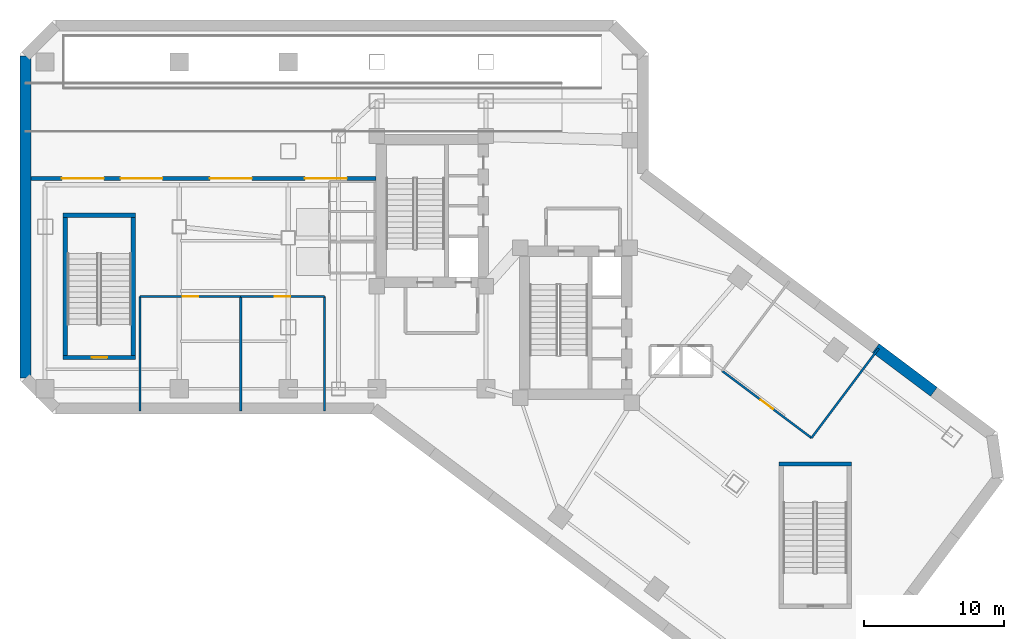
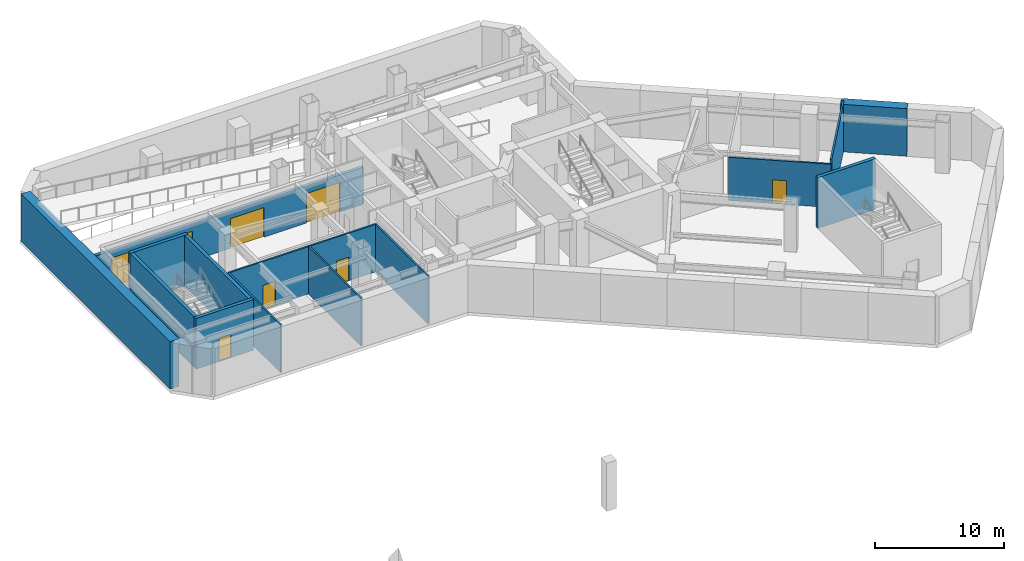
# One storey, part 3 of 9: 15 walls, 8 doors, 8 openings.
"""IFC4 building model written with IfcOpenShell, lengths in metres."""

from ifc_helpers import new_model, si_unit, direction, frame, frame_2d, origin, place, context, subcontext, project, spatial, rectangle, extrude, material, layer, layer_set, type_object, element, fill, save


model = new_model("IFC4")

# Units and contexts
model_context = context("Model", 3, precision=1e-05, world=origin(), true_north=direction((0.0, 1.0)))
body_context = subcontext(model_context, "Body", "Model", "MODEL_VIEW")
ifc_project = project(units=[si_unit("LENGTHUNIT", "METRE"), si_unit("AREAUNIT", "SQUARE_METRE"), si_unit("VOLUMEUNIT", "CUBIC_METRE"), si_unit("PLANEANGLEUNIT", "RADIAN"), si_unit("MASSUNIT", "GRAM", prefix="KILO")], contexts=[model_context])

# Site, building, storey
site_placement = place(None, origin())
site = spatial("IfcSite", under=ifc_project, at=site_placement, CompositionType="ELEMENT")
building_placement = place(site_placement, origin())
building = spatial("IfcBuilding", under=site, at=building_placement, Name="Hatsunagi Terrace Concourse", CompositionType="ELEMENT")
storey_placement = place(building_placement, frame((0.0, 0.0, -4.800048828125)))
storey = spatial("IfcBuildingStorey", under=building, at=storey_placement, Name="B01", CompositionType="ELEMENT", Elevation=-4.800048828125)

# Walls
ifc_material_1 = material(Name="Concrete Fc48", Category="concrete")
ifc_layer_1 = layer(ifc_material_1, 0.800048828125)
ifc_layer_set_1 = layer_set([ifc_layer_1], Name="BasementRetainingWall_Fc48_800")
wall_type_1 = type_object("IfcWallType", Name="BasementRetainingWall_Fc48_800", PredefinedType="SHEAR", material=ifc_layer_set_1)
wall_1_placement = place(storey_placement, frame((61.258056640625, 28.10595703125, 0.0), z_axis=(0.0, 0.0, 1.0), x_axis=(0.8, -0.6, 0.0)))
element("IfcWall", 1, at=wall_1_placement, inside=storey, type_object=wall_type_1, Name="Basement Retaining Wall B01-01-5", PredefinedType="SHEAR", context=body_context, shape_type="SweptSolid", body=[
    extrude(rectangle(XDim=5.205078125, YDim=0.800048828125, at=frame_2d((2.6025390625, 0.0))), origin(), (0.0, 0.0, 1.0), 4.5),
])
wall_2_placement = place(storey_placement, frame((0.39990234375, 25.966064453125, 0.0), z_axis=(0.0, 0.0, 1.0), x_axis=(0.0, 1.0, 0.0)))
element("IfcWall", 2, at=wall_2_placement, inside=storey, type_object=wall_type_1, Name="Basement Retaining Wall B01-08", PredefinedType="SHEAR", context=body_context, shape_type="SweptSolid", body=[
    extrude(rectangle(XDim=23.06787109375, YDim=0.800048828125, at=frame_2d((11.533935546875, 0.0))), origin(), (0.0, 0.0, 1.0), 4.5),
])

# Wall, opening, door
ifc_material_2 = material(Name="Concrete Fc48", Category="concrete")
ifc_layer_2 = layer(ifc_material_2, 0.300048828125)
ifc_layer_set_2 = layer_set([ifc_layer_2], Name="CoreStairDivider_Fc48_300")
wall_type_2 = type_object("IfcWallType", Name="CoreStairDivider_Fc48_300", PredefinedType="SHEAR", material=ifc_layer_set_2)
wall_3_placement = place(storey_placement, frame((3.090087890625, 27.43994140625, 0.0), z_axis=(0.0, 0.0, 1.0), x_axis=(1.0, 0.0, 0.0)))
wall_3 = element("IfcWall", 3, at=wall_3_placement, inside=storey, type_object=wall_type_2, Name="Podium Stair P1 Shear Wall S B01", PredefinedType="SHEAR", context=body_context, shape_type="SweptSolid", body=[
    extrude(rectangle(XDim=5.169921875, YDim=0.300048828125, at=frame_2d((2.5849609375, 0.0))), origin(), (0.0, 0.0, 1.0), 4.800048828125),
])
opening_1_placement = place(wall_3_placement, frame((2.06005859375, 0.0, 0.0)))
opening_1 = element("IfcOpeningElement", 4, at=opening_1_placement, cuts=wall_3, Name="Opening DR-110S", PredefinedType="OPENING", context=body_context, shape_type="SweptSolid", body=[
    extrude(rectangle(XDim=1.10009765625, YDim=2.199951171875, at=frame_2d((0.550048828125, 1.10009765625))), frame((0.0, 0.159912109375, 0.0), z_axis=(0.0, -1.0, 0.0), x_axis=(1.0, 0.0, 0.0)), (0.0, 0.0, 1.0), 0.320068359375),
])
ifc_material_3 = material(Name="Painted steel", Category="steel")
door_type_1 = type_object("IfcDoorType", Name="StairFireDoor_EI60_1100", OperationType="NOTDEFINED", PredefinedType="DOOR", material=ifc_material_3)
door_1_placement = place(opening_1_placement, origin())
door_1 = element("IfcDoor", 5, at=door_1_placement, inside=storey, type_object=door_type_1, Name="Stair ST-P1 Exit Door B01", OperationType="SINGLE_SWING_LEFT", OverallHeight=2.199951171875, OverallWidth=1.10009765625, PredefinedType="DOOR", context=body_context, shape_type="SweptSolid", body=[
    extrude(rectangle(XDim=1.10009765625, YDim=2.199951171875, at=frame_2d((0.550048828125, 1.10009765625))), frame((0.0, 0.02490234375, 0.0), z_axis=(0.0, -1.0, 0.0), x_axis=(1.0, 0.0, 0.0)), (0.0, 0.0, 1.0), 0.050048828125),
])
fill(opening_1, door_1)

# Walls
wall_4_placement = place(storey_placement, frame((3.090087890625, 37.6201171875, 0.0), z_axis=(0.0, 0.0, 1.0), x_axis=(1.0, 0.0, 0.0)))
element("IfcWall", 6, at=wall_4_placement, inside=storey, type_object=wall_type_2, Name="Podium Stair P1 Shear Wall N B01", PredefinedType="SHEAR", context=body_context, shape_type="SweptSolid", body=[
    extrude(rectangle(XDim=5.169921875, YDim=0.300048828125, at=frame_2d((2.5849609375, 0.0))), origin(), (0.0, 0.0, 1.0), 4.800048828125),
])
for number, where, z_axis, x_axis, name in (
    (7, (3.239990234375, 27.590087890625, 0.0), (0.0, 0.0, 1.0), (0.0, 1.0, 0.0), "Podium Stair P1 Shear Wall W B01"),
    (8, (8.110107421875, 27.590087890625, 0.0), (0.0, 0.0, 1.0), (0.0, 1.0, 0.0), "Podium Stair P1 Shear Wall E B01"),
):
    element("IfcWall", number, at=place(storey_placement, frame(where, z_axis=z_axis, x_axis=x_axis)), inside=storey, type_object=wall_type_2, Name=name, PredefinedType="SHEAR", context=body_context, shape_type="SweptSolid", body=[
        extrude(rectangle(XDim=9.8798828125, YDim=0.300048828125, at=frame_2d((4.93994140625, 0.0))), origin(), (0.0, 0.0, 1.0), 4.800048828125),
    ])
wall_5_placement = place(storey_placement, frame((54.340087890625, 19.820068359375, 0.0), z_axis=(0.0, 0.0, 1.0), x_axis=(1.0, 0.0, 0.0)))
element("IfcWall", 9, at=wall_5_placement, inside=storey, type_object=wall_type_2, Name="Podium Stair P2 Shear Wall N B01", PredefinedType="SHEAR", context=body_context, shape_type="SweptSolid", body=[
    extrude(rectangle(XDim=5.169921875, YDim=0.300048828125, at=frame_2d((2.5849609375, 0.0))), origin(), (0.0, 0.0, 1.0), 4.800048828125),
])

# Wall, opening, door
ifc_material_4 = material(Name="Acoustic mineral board", Category="gypsum")
ifc_layer_3 = layer(ifc_material_4, 0.14990234375)
ifc_layer_set_3 = layer_set([ifc_layer_3], Name="PartitionWall_EI60_150")
wall_type_3 = type_object("IfcWallType", Name="PartitionWall_EI60_150", PredefinedType="PARTITIONING", material=ifc_layer_set_3)
wall_6_placement = place(storey_placement, frame((8.60009765625, 31.800048828125, 0.0), z_axis=(0.0, 0.0, 1.0), x_axis=(1.0, 0.0, 0.0)))
wall_6 = element("IfcWall", 10, at=wall_6_placement, inside=storey, type_object=wall_type_3, Name="Interior Partition IW-B01-026", PredefinedType="PARTITIONING", context=body_context, shape_type="SweptSolid", body=[
    extrude(rectangle(XDim=7.199951171875, YDim=0.14990234375, at=frame_2d((3.60009765625, 0.0))), origin(), (0.0, 0.0, 1.0), 4.5),
])
opening_2_placement = place(wall_6_placement, frame((3.050048828125, 0.0, 0.0)))
opening_2 = element("IfcOpeningElement", 11, at=opening_2_placement, cuts=wall_6, Name="Opening DR-110F", PredefinedType="OPENING", context=body_context, shape_type="SweptSolid", body=[
    extrude(rectangle(XDim=1.10009765625, YDim=2.239990234375, at=frame_2d((0.550048828125, 1.1201171875))), frame((0.0, 0.0849609375, 0.0), z_axis=(0.0, -1.0, 0.0), x_axis=(1.0, 0.0, 0.0)), (0.0, 0.0, 1.0), 0.169921875),
])
ifc_material_5 = material(Name="Painted steel", Category="steel")
door_type_2 = type_object("IfcDoorType", Name="FireDoor_EI60_1100", OperationType="NOTDEFINED", PredefinedType="DOOR", material=ifc_material_5)
door_2_placement = place(opening_2_placement, origin())
door_2 = element("IfcDoor", 12, at=door_2_placement, inside=storey, type_object=door_type_2, Name="Commercial Banquet Kitchen B01-KIT Door", OperationType="SINGLE_SWING_RIGHT", OverallHeight=2.239990234375, OverallWidth=1.10009765625, PredefinedType="DOOR", context=body_context, shape_type="SweptSolid", body=[
    extrude(rectangle(XDim=1.10009765625, YDim=2.239990234375, at=frame_2d((0.550048828125, 1.1201171875))), frame((0.0, 0.02490234375, 0.0), z_axis=(0.0, -1.0, 0.0), x_axis=(1.0, 0.0, 0.0)), (0.0, 0.0, 1.0), 0.050048828125),
])
fill(opening_2, door_2)

# Walls
for number, where, z_axis, x_axis, name in (
    (13, (8.60009765625, 23.60009765625, 0.0), (0.0, 0.0, 1.0), (0.0, 1.0, 0.0), "Interior Partition IW-B01-027"),
    (14, (15.800048828125, 23.60009765625, 0.0), (0.0, 0.0, 1.0), (0.0, 1.0, 0.0), "Interior Partition IW-B01-028"),
):
    element("IfcWall", number, at=place(storey_placement, frame(where, z_axis=z_axis, x_axis=x_axis)), inside=storey, type_object=wall_type_3, Name=name, PredefinedType="PARTITIONING", context=body_context, shape_type="SweptSolid", body=[
        extrude(rectangle(XDim=8.199951171875, YDim=0.14990234375, at=frame_2d((4.10009765625, 0.0))), origin(), (0.0, 0.0, 1.0), 4.5),
    ])

# Wall, opening, door
wall_7_placement = place(storey_placement, frame((15.800048828125, 31.800048828125, 0.0), z_axis=(0.0, 0.0, 1.0), x_axis=(1.0, 0.0, 0.0)))
wall_7 = element("IfcWall", 15, at=wall_7_placement, inside=storey, type_object=wall_type_3, Name="Interior Partition IW-B01-029", PredefinedType="PARTITIONING", context=body_context, shape_type="SweptSolid", body=[
    extrude(rectangle(XDim=6.0, YDim=0.14990234375, at=frame_2d((3.0, 0.0))), origin(), (0.0, 0.0, 1.0), 4.5),
])
opening_3_placement = place(wall_7_placement, frame((2.449951171875, 0.0, 0.0)))
opening_3 = element("IfcOpeningElement", 16, at=opening_3_placement, cuts=wall_7, Name="Opening DR-110F", PredefinedType="OPENING", context=body_context, shape_type="SweptSolid", body=[
    extrude(rectangle(XDim=1.10009765625, YDim=2.239990234375, at=frame_2d((0.550048828125, 1.1201171875))), frame((0.0, 0.0849609375, 0.0), z_axis=(0.0, -1.0, 0.0), x_axis=(1.0, 0.0, 0.0)), (0.0, 0.0, 1.0), 0.169921875),
])
door_3_placement = place(opening_3_placement, origin())
door_3 = element("IfcDoor", 17, at=door_3_placement, inside=storey, type_object=door_type_2, Name="Bicycle Storage Room B01-BIC Door", OperationType="SINGLE_SWING_LEFT", OverallHeight=2.239990234375, OverallWidth=1.10009765625, PredefinedType="DOOR", context=body_context, shape_type="SweptSolid", body=[
    extrude(rectangle(XDim=1.10009765625, YDim=2.239990234375, at=frame_2d((0.550048828125, 1.1201171875))), frame((0.0, 0.02490234375, 0.0), z_axis=(0.0, -1.0, 0.0), x_axis=(1.0, 0.0, 0.0)), (0.0, 0.0, 1.0), 0.050048828125),
])
fill(opening_3, door_3)

# Wall
wall_8_placement = place(storey_placement, frame((21.800048828125, 23.60009765625, 0.0), z_axis=(0.0, 0.0, 1.0), x_axis=(0.0, 1.0, 0.0)))
element("IfcWall", 18, at=wall_8_placement, inside=storey, type_object=wall_type_3, Name="Interior Partition IW-B01-030", PredefinedType="PARTITIONING", context=body_context, shape_type="SweptSolid", body=[
    extrude(rectangle(XDim=8.199951171875, YDim=0.14990234375, at=frame_2d((4.10009765625, 0.0))), origin(), (0.0, 0.0, 1.0), 4.5),
])

# Wall, opening, door
wall_9_placement = place(storey_placement, frame((50.260009765625, 26.47998046875, 0.0), z_axis=(0.0, 0.0, 1.0), x_axis=(0.799992675677, -0.60000976564, 0.0)))
wall_9 = element("IfcWall", 19, at=wall_9_placement, inside=storey, type_object=wall_type_3, Name="Interior Partition IW-B01-031", PredefinedType="PARTITIONING", context=body_context, shape_type="SweptSolid", body=[
    extrude(rectangle(XDim=8.0, YDim=0.14990234375, at=frame_2d((4.0, 0.0))), origin(), (0.0, 0.0, 1.0), 4.094970703125),
])
opening_4_placement = place(wall_9_placement, frame((3.449951171875, 0.0, 0.0)))
opening_4 = element("IfcOpeningElement", 20, at=opening_4_placement, cuts=wall_9, Name="Opening DR-110F", PredefinedType="OPENING", context=body_context, shape_type="SweptSolid", body=[
    extrude(rectangle(XDim=1.10009765625, YDim=2.239990234375, at=frame_2d((0.550048828125, 1.1201171875))), frame((0.0, 0.0849609375, 0.0), z_axis=(0.0, -1.0, 0.0), x_axis=(1.0, 0.0, 0.0)), (0.0, 0.0, 1.0), 0.169921875),
])
door_4_placement = place(opening_4_placement, origin())
door_4 = element("IfcDoor", 21, at=door_4_placement, inside=storey, type_object=door_type_2, Name="Archive Storage Room B01-STR Door", OperationType="SINGLE_SWING_LEFT", OverallHeight=2.239990234375, OverallWidth=1.10009765625, PredefinedType="DOOR", context=body_context, shape_type="SweptSolid", body=[
    extrude(rectangle(XDim=1.10009765625, YDim=2.239990234375, at=frame_2d((0.550048828125, 1.1201171875))), frame((0.0, 0.02490234375, 0.0), z_axis=(0.0, -1.0, 0.0), x_axis=(1.0, 0.0, 0.0)), (0.0, 0.0, 1.0), 0.050048828125),
])
fill(opening_4, door_4)

# Wall
wall_10_placement = place(storey_placement, frame((56.659912109375, 21.679931640625, 0.0), z_axis=(0.0, 0.0, 1.0), x_axis=(0.599995117266, 0.800003662027, 0.0)))
element("IfcWall", 22, at=wall_10_placement, inside=storey, type_object=wall_type_3, Name="Interior Partition IW-B01-033", PredefinedType="PARTITIONING", context=body_context, shape_type="SweptSolid", body=[
    extrude(rectangle(XDim=8.000244140625, YDim=0.14990234375, at=frame_2d((4.0, 0.0))), origin(), (0.0, 0.0, 1.0), 4.5),
])

# Wall, openings, doors
ifc_material_6 = material(Name="Autoclaved Lightweight Concrete and Terracotta Cladding", Category="masonry")
ifc_layer_4 = layer(ifc_material_6, 0.280029296875)
ifc_layer_set_4 = layer_set([ifc_layer_4], Name="TerracottaSpandrelWall_280")
wall_type_4 = type_object("IfcWallType", Name="TerracottaSpandrelWall_280", PredefinedType="STANDARD", material=ifc_layer_set_4)
wall_11_placement = place(storey_placement, frame((0.800048828125, 40.25, 0.0), z_axis=(0.0, 0.0, 1.0), x_axis=(1.0, 0.0, 0.0)))
wall_11 = element("IfcWall", 23, at=wall_11_placement, inside=storey, type_object=wall_type_4, Name="B01 Loading Dock Partition Wall", PredefinedType="STANDARD", context=body_context, shape_type="SweptSolid", body=[
    extrude(rectangle(XDim=24.669921875, YDim=0.280029296875, at=frame_2d((12.3349609375, 0.0))), origin(), (0.0, 0.0, 1.0), 3.5),
])
opening_5_placement = place(wall_11_placement, frame((2.199951171875, 0.0, 0.0)))
opening_5 = element("IfcOpeningElement", 24, at=opening_5_placement, cuts=wall_11, Name="Opening RS-01", PredefinedType="OPENING", context=body_context, shape_type="SweptSolid", body=[
    extrude(rectangle(XDim=3.0, YDim=2.800048828125, at=frame_2d((1.5, 1.39990234375))), frame((0.0, 0.14990234375, 0.0), z_axis=(0.0, -1.0, 0.0), x_axis=(1.0, 0.0, 0.0)), (0.0, 0.0, 1.0), 0.300048828125),
])
opening_6_placement = place(wall_11_placement, frame((6.39990234375, 0.0, 0.0)))
opening_6 = element("IfcOpeningElement", 25, at=opening_6_placement, cuts=wall_11, Name="Opening RS-01", PredefinedType="OPENING", context=body_context, shape_type="SweptSolid", body=[
    extrude(rectangle(XDim=3.0, YDim=2.800048828125, at=frame_2d((1.5, 1.39990234375))), frame((0.0, 0.14990234375, 0.0), z_axis=(0.0, -1.0, 0.0), x_axis=(1.0, 0.0, 0.0)), (0.0, 0.0, 1.0), 0.300048828125),
])
opening_7_placement = place(wall_11_placement, frame((12.800048828125, 0.0, 0.0)))
opening_7 = element("IfcOpeningElement", 26, at=opening_7_placement, cuts=wall_11, Name="Opening RS-01", PredefinedType="OPENING", context=body_context, shape_type="SweptSolid", body=[
    extrude(rectangle(XDim=3.0, YDim=2.800048828125, at=frame_2d((1.5, 1.39990234375))), frame((0.0, 0.14990234375, 0.0), z_axis=(0.0, -1.0, 0.0), x_axis=(1.0, 0.0, 0.0)), (0.0, 0.0, 1.0), 0.300048828125),
])
opening_8_placement = place(wall_11_placement, frame((19.60009765625, 0.0, 0.0)))
opening_8 = element("IfcOpeningElement", 27, at=opening_8_placement, cuts=wall_11, Name="Opening RS-01", PredefinedType="OPENING", context=body_context, shape_type="SweptSolid", body=[
    extrude(rectangle(XDim=3.0, YDim=2.800048828125, at=frame_2d((1.5, 1.39990234375))), frame((0.0, 0.14990234375, 0.0), z_axis=(0.0, -1.0, 0.0), x_axis=(1.0, 0.0, 0.0)), (0.0, 0.0, 1.0), 0.300048828125),
])
ifc_material_7 = material(Name="Galvanised Steel and Laminated Safety Glass", Category="steel")
door_type_3 = type_object("IfcDoorType", Name="LoadingDockRollerShutter_3000x2800", OperationType="ROLLINGUP", PredefinedType="TRAPDOOR", material=ifc_material_7)
door_5_placement = place(opening_5_placement, origin())
door_5 = element("IfcDoor", 28, at=door_5_placement, inside=storey, type_object=door_type_3, Name="B01 Loading Dock Roller Shutter Gate 1", OperationType="ROLLINGUP", OverallHeight=2.800048828125, OverallWidth=3.0, PredefinedType="TRAPDOOR", context=body_context, shape_type="SweptSolid", body=[
    extrude(rectangle(XDim=3.0, YDim=2.800048828125, at=frame_2d((1.5, 1.39990234375))), frame((0.0, 0.02490234375, 0.0), z_axis=(0.0, -1.0, 0.0), x_axis=(1.0, 0.0, 0.0)), (0.0, 0.0, 1.0), 0.050048828125),
])
fill(opening_5, door_5)
door_6_placement = place(opening_6_placement, origin())
door_6 = element("IfcDoor", 29, at=door_6_placement, inside=storey, type_object=door_type_3, Name="B01 Loading Dock Roller Shutter Gate 2", OperationType="ROLLINGUP", OverallHeight=2.800048828125, OverallWidth=3.0, PredefinedType="TRAPDOOR", context=body_context, shape_type="SweptSolid", body=[
    extrude(rectangle(XDim=3.0, YDim=2.800048828125, at=frame_2d((1.5, 1.39990234375))), frame((0.0, 0.02490234375, 0.0), z_axis=(0.0, -1.0, 0.0), x_axis=(1.0, 0.0, 0.0)), (0.0, 0.0, 1.0), 0.050048828125),
])
fill(opening_6, door_6)
door_7_placement = place(opening_7_placement, origin())
door_7 = element("IfcDoor", 30, at=door_7_placement, inside=storey, type_object=door_type_3, Name="B01 Loading Dock Roller Shutter Gate 3", OperationType="ROLLINGUP", OverallHeight=2.800048828125, OverallWidth=3.0, PredefinedType="TRAPDOOR", context=body_context, shape_type="SweptSolid", body=[
    extrude(rectangle(XDim=3.0, YDim=2.800048828125, at=frame_2d((1.5, 1.39990234375))), frame((0.0, 0.02490234375, 0.0), z_axis=(0.0, -1.0, 0.0), x_axis=(1.0, 0.0, 0.0)), (0.0, 0.0, 1.0), 0.050048828125),
])
fill(opening_7, door_7)
door_8_placement = place(opening_8_placement, origin())
door_8 = element("IfcDoor", 31, at=door_8_placement, inside=storey, type_object=door_type_3, Name="B01 Loading Dock Roller Shutter Gate 4", OperationType="ROLLINGUP", OverallHeight=2.800048828125, OverallWidth=3.0, PredefinedType="TRAPDOOR", context=body_context, shape_type="SweptSolid", body=[
    extrude(rectangle(XDim=3.0, YDim=2.800048828125, at=frame_2d((1.5, 1.39990234375))), frame((0.0, 0.02490234375, 0.0), z_axis=(0.0, -1.0, 0.0), x_axis=(1.0, 0.0, 0.0)), (0.0, 0.0, 1.0), 0.050048828125),
])
fill(opening_8, door_8)

save(model, "model.ifc")
